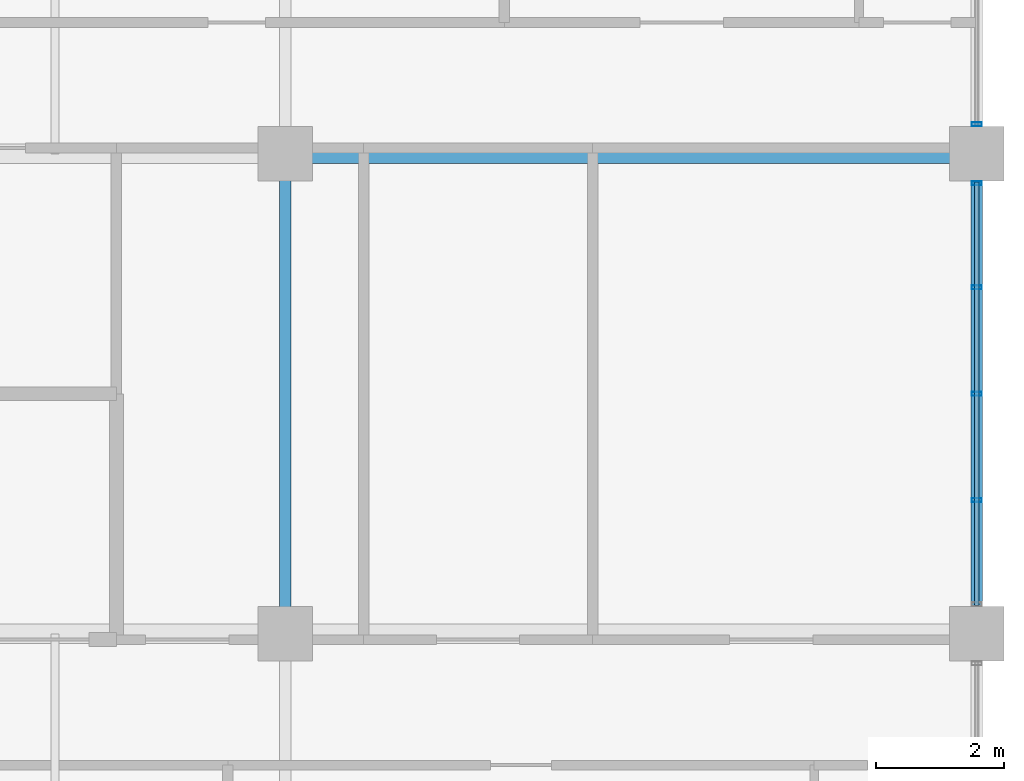
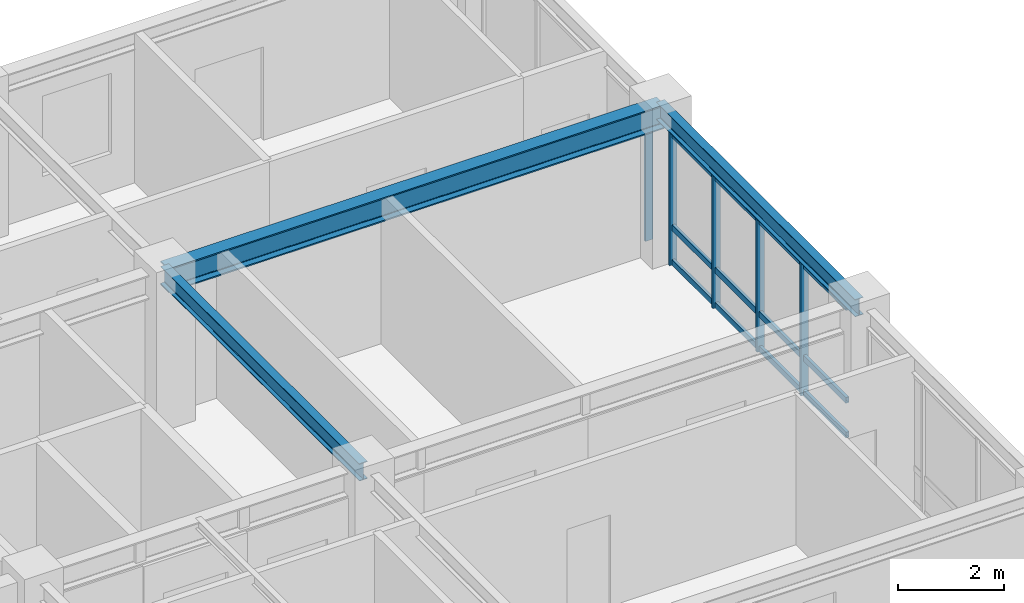
# One storey, part 3 of 10: 8 members, 3 beams, 2 elements without a shape of their own.
"""IFC4 building model written with IfcOpenShell, lengths in metres."""

from ifc_helpers import new_model, si_unit, direction, frame, origin, origin_2d, place, context, subcontext, project, spatial, hollow_rectangle, i_section, extrude, source, transform, mapped, material, layer, layer_set, material_profile, profile_set, type_object, element, aggregate, save


model = new_model("IFC4")

# Units and contexts
model_context = context("Model", 3, precision=1e-05, world=origin(), true_north=direction((0.0, 1.0)))
body_context = subcontext(model_context, "Body", "Model", "MODEL_VIEW")
ifc_project = project(units=[si_unit("LENGTHUNIT", "METRE"), si_unit("AREAUNIT", "SQUARE_METRE"), si_unit("VOLUMEUNIT", "CUBIC_METRE"), si_unit("PLANEANGLEUNIT", "RADIAN"), si_unit("MASSUNIT", "GRAM", prefix="KILO")], contexts=[model_context])

# Site, building, storey
site_placement = place(None, origin())
site = spatial("IfcSite", under=ifc_project, at=site_placement, CompositionType="ELEMENT")
building_placement = place(site_placement, origin())
building = spatial("IfcBuilding", under=site, at=building_placement, Name="Kaliganga Portal Commons", CompositionType="ELEMENT")
storey_placement = place(building_placement, frame((0.0, 0.0, 283.199951171875)))
storey = spatial("IfcBuildingStorey", under=building, at=storey_placement, Name="L73", CompositionType="ELEMENT", Elevation=283.199951171875)

# Beams
ifc_material_1 = material(Name="Structural steel S355J2", Category="steel")
ifc_material_profile_1 = material_profile(ifc_material_1, i_section(OverallWidth=0.300048828125, OverallDepth=0.550048828125, WebThickness=0.014892578125, FlangeThickness=0.029052734375, FilletRadius=0.027099609375, at=origin_2d()), Name="HE 550 B")
ifc_profile_set_1 = profile_set([ifc_material_profile_1], Name="Structural steel S355J2 wide-flange")
beam_type_1 = type_object("IfcBeamType", Name="BM-GIRD-550", PredefinedType="USERDEFINED", material=ifc_profile_set_1)
shared_shape_1 = source(origin(), body_context, "Body", "SweptSolid", [
    extrude(i_section(OverallWidth=0.300048828125, OverallDepth=0.550048828125, WebThickness=0.014892578125, FlangeThickness=0.029052734375, FilletRadius=0.027099609375, at=origin_2d()), origin(), (0.0, 0.0, 1.0), 10.800048828125),
])
beam_placement = place(storey_placement, frame((36.0, 36.14990234375, 3.199951171875), z_axis=(1.0, 0.0, 0.0), x_axis=(0.0, 1.0, 0.0)))
element("IfcBeam", 1, at=beam_placement, inside=storey, type_object=beam_type_1, Name="BM G L73 WAE_N 2", ObjectType="GIRDER", PredefinedType="USERDEFINED", context=body_context, shape_type="MappedRepresentation", body=[
    mapped(shared_shape_1, transform((0.0, 0.0, 0.0), x_axis=(1.0, 0.0, 0.0), y_axis=(0.0, 1.0, 0.0), z_axis=(0.0, 0.0, 1.0), scale=1.0)),
])
ifc_material_profile_2 = material_profile(ifc_material_1, i_section(OverallWidth=0.179931640625, OverallDepth=0.39990234375, WebThickness=0.008544921875, FlangeThickness=0.013427734375, FilletRadius=0.02099609375, at=origin_2d()), Name="IPE 400")
ifc_profile_set_2 = profile_set([ifc_material_profile_2], Name="Structural steel S355J2 wide-flange")
beam_type_2 = type_object("IfcBeamType", Name="BM-FLR-400", PredefinedType="BEAM", material=ifc_profile_set_2)
shared_shape_2 = source(origin(), body_context, "Body", "SweptSolid", [
    extrude(i_section(OverallWidth=0.179931640625, OverallDepth=0.39990234375, WebThickness=0.008544921875, FlangeThickness=0.013427734375, FilletRadius=0.02099609375, at=origin_2d()), origin(), (0.0, 0.0, 1.0), 7.5),
])
for number, where, z_axis, x_axis, name in (
    (2, (36.0, 28.64990234375, 3.275146484375), (0.0, 1.0, 0.0), (-1.0, 0.0, 0.0), "BM G L73 AM360"),
    (3, (46.800048828125, 28.64990234375, 3.275146484375), (0.0, 1.0, 0.0), (-1.0, 0.0, 0.0), "BM G L73 AM468"),
):
    element("IfcBeam", number, at=place(storey_placement, frame(where, z_axis=z_axis, x_axis=x_axis)), inside=storey, type_object=beam_type_2, Name=name, PredefinedType="BEAM", context=body_context, shape_type="MappedRepresentation", body=[
        mapped(shared_shape_2, transform((0.0, 0.0, 0.0), x_axis=(1.0, 0.0, 0.0), y_axis=(0.0, 1.0, 0.0), z_axis=(0.0, 0.0, 1.0), scale=1.0)),
    ])

# Curtain wall, members
ifc_material_2 = material(Name="Anodized Aluminium and Laminated Low-E Glass", Category="aluminium")
ifc_layer = layer(ifc_material_2, 0.18994140625)
ifc_layer_set = layer_set([ifc_layer], Name="Anodized Aluminium and Laminated Low-E Glass")
curtain_wall_type = type_object("IfcCurtainWallType", Name="CW-SYS-05", PredefinedType="NOTDEFINED", material=ifc_layer_set)
curtain_wall_1_placement = place(storey_placement, origin())
curtain_wall_1 = element("IfcCurtainWall", 4, at=curtain_wall_1_placement, inside=storey, type_object=curtain_wall_type, Name="CW 05 L73 P1E01S2", PredefinedType="NOTDEFINED")
ifc_material_3 = material(Name="Dark Bronze Anodized Aluminium", Category="aluminium")
ifc_material_profile_3 = material_profile(ifc_material_3, hollow_rectangle(XDim=0.06005859375, YDim=0.159912109375, WallThickness=0.00341796875, at=origin_2d()), Name="ALU MULL 60x160x3.5")
ifc_profile_set_3 = profile_set([ifc_material_profile_3], Name="Dark Bronze Anodized Aluminium")
member_type_1 = type_object("IfcMemberType", Name="CW-MUL-160", PredefinedType="MULLION", material=ifc_profile_set_3)
shared_shape_3 = source(origin(), body_context, "Body", "SweptSolid", [
    extrude(hollow_rectangle(XDim=0.06005859375, YDim=0.159912109375, WallThickness=0.00341796875, at=origin_2d()), origin(), (0.0, 0.0, 1.0), 3.074951171875),
])
member_1_placement = place(storey_placement, frame((46.800048828125, 30.738037109375, 0.0), z_axis=(0.0, 0.0, 1.0), x_axis=(0.0, 1.0, 0.0)))
member_1 = element("IfcMember", 5, at=member_1_placement, type_object=member_type_1, Name="CW:05:L73:P1E01S2 Mullion 01", PredefinedType="MULLION", context=body_context, shape_type="MappedRepresentation", body=[
    mapped(shared_shape_3, transform((0.0, 0.0, 0.0), x_axis=(1.0, 0.0, 0.0), y_axis=(0.0, 1.0, 0.0), z_axis=(0.0, 0.0, 1.0), scale=1.0)),
])
member_2_placement = place(storey_placement, frame((46.800048828125, 32.39990234375, 0.0), z_axis=(0.0, 0.0, 1.0), x_axis=(0.0, 1.0, 0.0)))
member_2 = element("IfcMember", 6, at=member_2_placement, type_object=member_type_1, Name="CW:05:L73:P1E01S2 Mullion 02", PredefinedType="MULLION", context=body_context, shape_type="MappedRepresentation", body=[
    mapped(shared_shape_3, transform((0.0, 0.0, 0.0), x_axis=(1.0, 0.0, 0.0), y_axis=(0.0, 1.0, 0.0), z_axis=(0.0, 0.0, 1.0), scale=1.0)),
])
member_3_placement = place(storey_placement, frame((46.800048828125, 34.06201171875, 0.0), z_axis=(0.0, 0.0, 1.0), x_axis=(0.0, 1.0, 0.0)))
member_3 = element("IfcMember", 7, at=member_3_placement, type_object=member_type_1, Name="CW:05:L73:P1E01S2 Mullion 03", PredefinedType="MULLION", context=body_context, shape_type="MappedRepresentation", body=[
    mapped(shared_shape_3, transform((0.0, 0.0, 0.0), x_axis=(1.0, 0.0, 0.0), y_axis=(0.0, 1.0, 0.0), z_axis=(0.0, 0.0, 1.0), scale=1.0)),
])
member_4_placement = place(storey_placement, frame((46.800048828125, 35.68896484375, 0.0), z_axis=(0.0, 0.0, 1.0), x_axis=(0.0, 1.0, 0.0)))
member_4 = element("IfcMember", 8, at=member_4_placement, type_object=member_type_1, Name="CW:05:L73:P1E01S2 Mullion 04", PredefinedType="MULLION", context=body_context, shape_type="MappedRepresentation", body=[
    mapped(shared_shape_3, transform((0.0, 0.0, 0.0), x_axis=(1.0, 0.0, 0.0), y_axis=(0.0, 1.0, 0.0), z_axis=(0.0, 0.0, 1.0), scale=1.0)),
])

# Curtain wall, member
curtain_wall_2_placement = place(storey_placement, origin())
curtain_wall_2 = element("IfcCurtainWall", 9, at=curtain_wall_2_placement, inside=storey, type_object=curtain_wall_type, Name="CW 05 L73 P1E01S3", PredefinedType="NOTDEFINED")
member_5_placement = place(storey_placement, frame((46.800048828125, 36.611083984375, 0.0), z_axis=(0.0, 0.0, 1.0), x_axis=(0.0, 1.0, 0.0)))
member_5 = element("IfcMember", 10, at=member_5_placement, type_object=member_type_1, Name="CW:05:L73:P1E01S3 Mullion 00", PredefinedType="MULLION", context=body_context, shape_type="MappedRepresentation", body=[
    mapped(shared_shape_3, transform((0.0, 0.0, 0.0), x_axis=(1.0, 0.0, 0.0), y_axis=(0.0, 1.0, 0.0), z_axis=(0.0, 0.0, 1.0), scale=1.0)),
])
aggregate(curtain_wall_2, [member_5])

# Member
ifc_material_profile_4 = material_profile(ifc_material_3, hollow_rectangle(XDim=0.06494140625, YDim=0.135009765625, WallThickness=0.00341796875, at=origin_2d()), Name="ALU TRAN 65x135x3.5")
ifc_profile_set_4 = profile_set([ifc_material_profile_4], Name="Dark Bronze Anodized Aluminium")
member_type_2 = type_object("IfcMemberType", Name="CW-TRN-135", PredefinedType="USERDEFINED", material=ifc_profile_set_4)
shared_shape_4 = source(origin(), body_context, "Body", "SweptSolid", [
    extrude(hollow_rectangle(XDim=0.06494140625, YDim=0.135009765625, WallThickness=0.00341796875, at=origin_2d()), origin(), (0.0, 0.0, 1.0), 6.608154296875),
])
member_6_placement = place(storey_placement, frame((46.800048828125, 29.095947265625, 0.06005859375), z_axis=(0.0, 1.0, 0.0), x_axis=(-1.0, 0.0, 0.0)))
member_6 = element("IfcMember", 11, at=member_6_placement, type_object=member_type_2, Name="CW:05:L73:P1E01S2 Transom 1", ObjectType="TRANSOM", PredefinedType="USERDEFINED", context=body_context, shape_type="MappedRepresentation", body=[
    mapped(shared_shape_4, transform((0.0, 0.0, 0.0), x_axis=(1.0, 0.0, 0.0), y_axis=(0.0, 1.0, 0.0), z_axis=(0.0, 0.0, 1.0), scale=1.0)),
])

member_7_placement = place(storey_placement, frame((46.800048828125, 29.095947265625, 0.861083984375), z_axis=(0.0, 1.0, 0.0), x_axis=(-1.0, 0.0, 0.0)))
member_7 = element("IfcMember", 12, at=member_7_placement, type_object=member_type_2, Name="CW:05:L73:P1E01S2 Transom 2", ObjectType="TRANSOM", PredefinedType="USERDEFINED", context=body_context, shape_type="MappedRepresentation", body=[
    mapped(shared_shape_4, transform((0.0, 0.0, 0.0), x_axis=(1.0, 0.0, 0.0), y_axis=(0.0, 1.0, 0.0), z_axis=(0.0, 0.0, 1.0), scale=1.0)),
])

member_8_placement = place(storey_placement, frame((46.800048828125, 29.095947265625, 2.9951171875), z_axis=(0.0, 1.0, 0.0), x_axis=(-1.0, 0.0, 0.0)))
member_8 = element("IfcMember", 13, at=member_8_placement, type_object=member_type_2, Name="CW:05:L73:P1E01S2 Transom 3", ObjectType="TRANSOM", PredefinedType="USERDEFINED", context=body_context, shape_type="MappedRepresentation", body=[
    mapped(shared_shape_4, transform((0.0, 0.0, 0.0), x_axis=(1.0, 0.0, 0.0), y_axis=(0.0, 1.0, 0.0), z_axis=(0.0, 0.0, 1.0), scale=1.0)),
])

aggregate(curtain_wall_1, [member_1, member_2, member_3, member_4, member_6, member_7, member_8])

save(model, "model.ifc")
